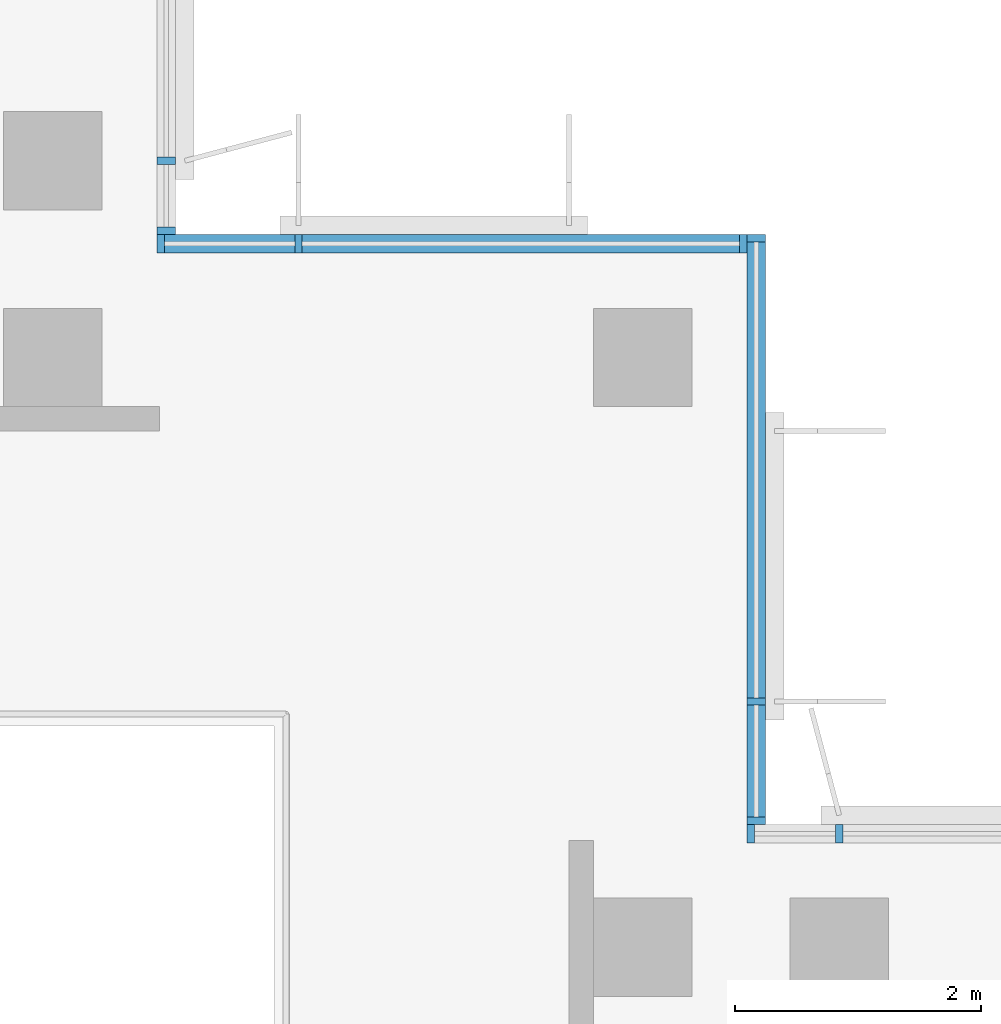
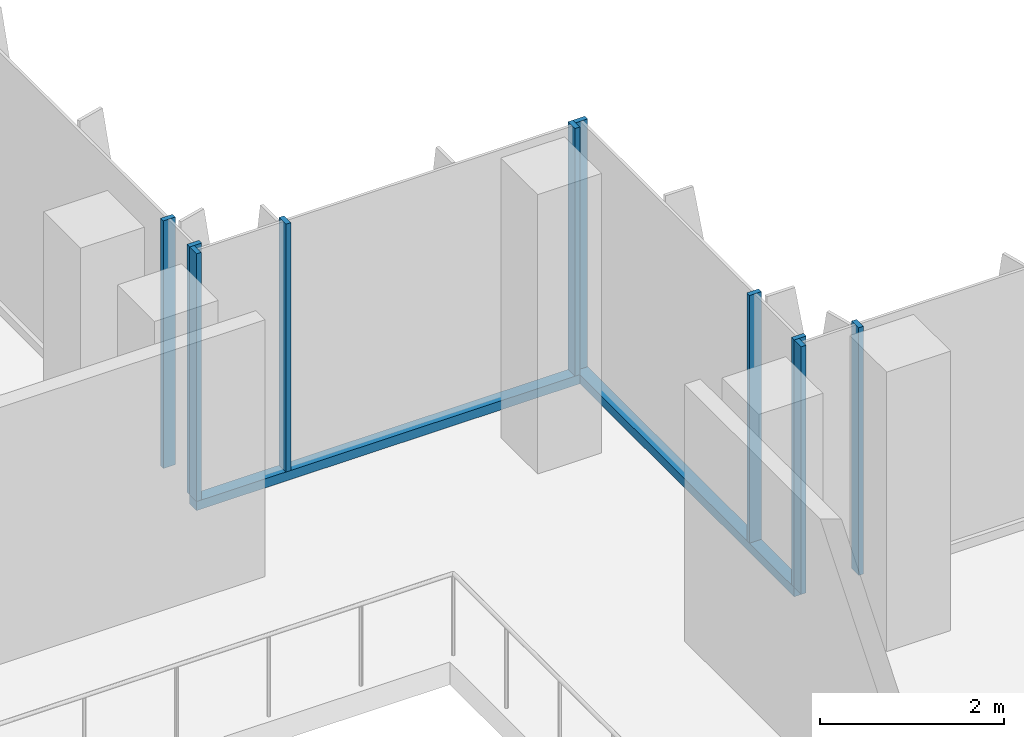
# One storey, part 2 of 17: 12 members, 4 elements without a shape of their own.
"""IFC4 building model written with IfcOpenShell, lengths in metres."""

from ifc_helpers import new_model, si_unit, direction, frame, origin, origin_2d, place, context, subcontext, project, spatial, rectangle, extrude, source, transform, mapped, material, material_profile, profile_set, type_object, element, aggregate, save


model = new_model("IFC4")

# Units and contexts
model_context = context("Model", 3, precision=1e-05, world=origin(), true_north=direction((0.0, 1.0)))
body_context = subcontext(model_context, "Body", "Model", "MODEL_VIEW")
ifc_project = project(units=[si_unit("LENGTHUNIT", "METRE"), si_unit("AREAUNIT", "SQUARE_METRE"), si_unit("VOLUMEUNIT", "CUBIC_METRE"), si_unit("PLANEANGLEUNIT", "RADIAN"), si_unit("MASSUNIT", "GRAM", prefix="KILO")], contexts=[model_context])

# Site, building, storey
site_placement = place(None, origin())
site = spatial("IfcSite", under=ifc_project, at=site_placement, CompositionType="ELEMENT")
building_placement = place(site_placement, origin())
building = spatial("IfcBuilding", under=site, at=building_placement, Name="Kemantara Hotel Tower", CompositionType="ELEMENT")
storey_placement = place(building_placement, frame((0.0, 0.0, 226.5)))
storey = spatial("IfcBuildingStorey", under=building, at=storey_placement, Name="L56", CompositionType="ELEMENT", Elevation=226.5)

# Curtain wall, member
ifc_material_1 = material(Name="Low-E tinted double insulated glass 36 mm", Category="glass")
curtain_wall_type = type_object("IfcCurtainWallType", Name="TOWER CURTAIN WALL, FRONT FACES", PredefinedType="USERDEFINED", material=ifc_material_1)
curtain_wall_1_placement = place(storey_placement, origin())
curtain_wall_1 = element("IfcCurtainWall", 1, at=curtain_wall_1_placement, inside=storey, type_object=curtain_wall_type, Name="CW4 L56 T4-R13-1", ObjectType="TOWER CURTAIN WALL, FRONT FACES", PredefinedType="USERDEFINED")
ifc_material_2 = material(Name="Aluminium 6063-T6 bronze anodised", Category="aluminium")
ifc_material_profile_1 = material_profile(ifc_material_2, rectangle(XDim=0.14990234375, YDim=0.1201171875, at=origin_2d()), Name="TOWER CURTAIN WALL, FRONT FACES TRANSOM")
ifc_profile_set_1 = profile_set([ifc_material_profile_1], Name="Aluminium 6063-T6 bronze anodised")
member_type_1 = type_object("IfcMemberType", Name="TOWER CURTAIN WALL, FRONT FACES TRANSOM", PredefinedType="USERDEFINED", material=ifc_profile_set_1)
member_1_placement = place(storey_placement, frame((26.72509765625, 22.0, 0.06005859375), z_axis=(0.0, 1.0, 0.0), x_axis=(-1.0, 0.0, 0.0)))
member_1 = element("IfcMember", 2, at=member_1_placement, type_object=member_type_1, Name="CW4 sill transom T4-R13-1", ObjectType="TRANSOM", PredefinedType="USERDEFINED", context=body_context, shape_type="SweptSolid", body=[
    extrude(rectangle(XDim=0.14990234375, YDim=0.1201171875, at=origin_2d()), origin(), (0.0, 0.0, 1.0), 4.800048828125),
])

curtain_wall_2_placement = place(storey_placement, origin())
curtain_wall_2 = element("IfcCurtainWall", 3, at=curtain_wall_2_placement, inside=storey, type_object=curtain_wall_type, Name="CW4 L56 T4-R14-1", ObjectType="TOWER CURTAIN WALL, FRONT FACES", PredefinedType="USERDEFINED")
member_2_placement = place(storey_placement, frame((26.64990234375, 26.72509765625, 0.06005859375), z_axis=(-1.0, 0.0, 0.0), x_axis=(0.0, -1.0, 0.0)))
member_2 = element("IfcMember", 4, at=member_2_placement, type_object=member_type_1, Name="CW4 sill transom T4-R14-1", ObjectType="TRANSOM", PredefinedType="USERDEFINED", context=body_context, shape_type="SweptSolid", body=[
    extrude(rectangle(XDim=0.14990234375, YDim=0.1201171875, at=origin_2d()), origin(), (0.0, 0.0, 1.0), 4.7998046875),
])

# Curtain wall, members
curtain_wall_3_placement = place(storey_placement, origin())
curtain_wall_3 = element("IfcCurtainWall", 5, at=curtain_wall_3_placement, inside=storey, type_object=curtain_wall_type, Name="CW4 L56 T4-R12-1", ObjectType="TOWER CURTAIN WALL, FRONT FACES", PredefinedType="USERDEFINED")
ifc_material_profile_2 = material_profile(ifc_material_2, rectangle(XDim=0.14990234375, YDim=0.06005859375, at=origin_2d()), Name="TOWER CURTAIN WALL, FRONT FACES MULLION")
ifc_profile_set_2 = profile_set([ifc_material_profile_2], Name="Aluminium 6063-T6 bronze anodised")
member_type_2 = type_object("IfcMemberType", Name="TOWER CURTAIN WALL, FRONT FACES MULLION", PredefinedType="MULLION", material=ifc_profile_set_2)
shared_shape = source(origin(), body_context, "Body", "SweptSolid", [
    extrude(rectangle(XDim=0.14990234375, YDim=0.06005859375, at=origin_2d()), origin(), (0.0, 0.0, 1.0), 3.27978515625),
])
member_3_placement = place(storey_placement, frame((27.39990234375, 21.925048828125, 0.1201171875), z_axis=(0.0, 0.0, 1.0), x_axis=(0.0, -1.0, 0.0)))
member_3 = element("IfcMember", 6, at=member_3_placement, type_object=member_type_2, Name="CW4 mullion T4-R12-1.5", PredefinedType="MULLION", context=body_context, shape_type="MappedRepresentation", body=[
    mapped(shared_shape, transform((0.0, 0.0, 0.0))),
])
member_4_placement = place(storey_placement, frame((26.679931640625, 21.925048828125, 0.1201171875), z_axis=(0.0, 0.0, 1.0), x_axis=(0.0, -1.0, 0.0)))
member_4 = element("IfcMember", 7, at=member_4_placement, type_object=member_type_2, Name="CW4 mullion T4-R12-1.6", PredefinedType="MULLION", context=body_context, shape_type="MappedRepresentation", body=[
    mapped(shared_shape, transform((0.0, 0.0, 0.0))),
])
aggregate(curtain_wall_3, [member_3, member_4])

# Member
member_5_placement = place(storey_placement, frame((26.72509765625, 22.030029296875, 0.1201171875), z_axis=(0.0, 0.0, 1.0), x_axis=(-1.0, 0.0, 0.0)))
member_5 = element("IfcMember", 8, at=member_5_placement, type_object=member_type_2, Name="CW4 mullion T4-R13-1.1", PredefinedType="MULLION", context=body_context, shape_type="MappedRepresentation", body=[
    mapped(shared_shape, transform((0.0, 0.0, 0.0))),
])

member_6_placement = place(storey_placement, frame((26.72509765625, 23.0, 0.1201171875), z_axis=(0.0, 0.0, 1.0), x_axis=(-1.0, 0.0, 0.0)))
member_6 = element("IfcMember", 9, at=member_6_placement, type_object=member_type_2, Name="CW4 mullion T4-R13-1.2", PredefinedType="MULLION", context=body_context, shape_type="MappedRepresentation", body=[
    mapped(shared_shape, transform((0.0, 0.0, 0.0))),
])

member_7_placement = place(storey_placement, frame((26.72509765625, 26.77001953125, 0.1201171875), z_axis=(0.0, 0.0, 1.0), x_axis=(-1.0, 0.0, 0.0)))
member_7 = element("IfcMember", 10, at=member_7_placement, type_object=member_type_2, Name="CW4 mullion T4-R13-1.3", PredefinedType="MULLION", context=body_context, shape_type="MappedRepresentation", body=[
    mapped(shared_shape, transform((0.0, 0.0, 0.0))),
])

aggregate(curtain_wall_1, [member_1, member_5, member_6, member_7])

member_8_placement = place(storey_placement, frame((26.6201171875, 26.72509765625, 0.1201171875), z_axis=(0.0, 0.0, 1.0), x_axis=(0.0, -1.0, 0.0)))
member_8 = element("IfcMember", 11, at=member_8_placement, type_object=member_type_2, Name="CW4 mullion T4-R14-1.1", PredefinedType="MULLION", context=body_context, shape_type="MappedRepresentation", body=[
    mapped(shared_shape, transform((0.0, 0.0, 0.0))),
])

member_9_placement = place(storey_placement, frame((23.0, 26.72509765625, 0.1201171875), z_axis=(0.0, 0.0, 1.0), x_axis=(0.0, -1.0, 0.0)))
member_9 = element("IfcMember", 12, at=member_9_placement, type_object=member_type_2, Name="CW4 mullion T4-R14-1.2", PredefinedType="MULLION", context=body_context, shape_type="MappedRepresentation", body=[
    mapped(shared_shape, transform((0.0, 0.0, 0.0))),
])

member_10_placement = place(storey_placement, frame((21.8798828125, 26.72509765625, 0.1201171875), z_axis=(0.0, 0.0, 1.0), x_axis=(0.0, -1.0, 0.0)))
member_10 = element("IfcMember", 13, at=member_10_placement, type_object=member_type_2, Name="CW4 mullion T4-R14-1.3", PredefinedType="MULLION", context=body_context, shape_type="MappedRepresentation", body=[
    mapped(shared_shape, transform((0.0, 0.0, 0.0))),
])

aggregate(curtain_wall_2, [member_2, member_8, member_9, member_10])

# Curtain wall, members
curtain_wall_4_placement = place(storey_placement, origin())
curtain_wall_4 = element("IfcCurtainWall", 14, at=curtain_wall_4_placement, inside=storey, type_object=curtain_wall_type, Name="CW4 L56 T4-R15-1", ObjectType="TOWER CURTAIN WALL, FRONT FACES", PredefinedType="USERDEFINED")
member_11_placement = place(storey_placement, frame((21.925048828125, 26.830078125, 0.1201171875), z_axis=(0.0, 0.0, 1.0), x_axis=(-1.0, 0.0, 0.0)))
member_11 = element("IfcMember", 15, at=member_11_placement, type_object=member_type_2, Name="CW4 mullion T4-R15-1.1", PredefinedType="MULLION", context=body_context, shape_type="MappedRepresentation", body=[
    mapped(shared_shape, transform((0.0, 0.0, 0.0))),
])
member_12_placement = place(storey_placement, frame((21.925048828125, 27.39990234375, 0.1201171875), z_axis=(0.0, 0.0, 1.0), x_axis=(-1.0, 0.0, 0.0)))
member_12 = element("IfcMember", 16, at=member_12_placement, type_object=member_type_2, Name="CW4 mullion T4-R15-1.2", PredefinedType="MULLION", context=body_context, shape_type="MappedRepresentation", body=[
    mapped(shared_shape, transform((0.0, 0.0, 0.0))),
])
aggregate(curtain_wall_4, [member_11, member_12])

save(model, "model.ifc")
